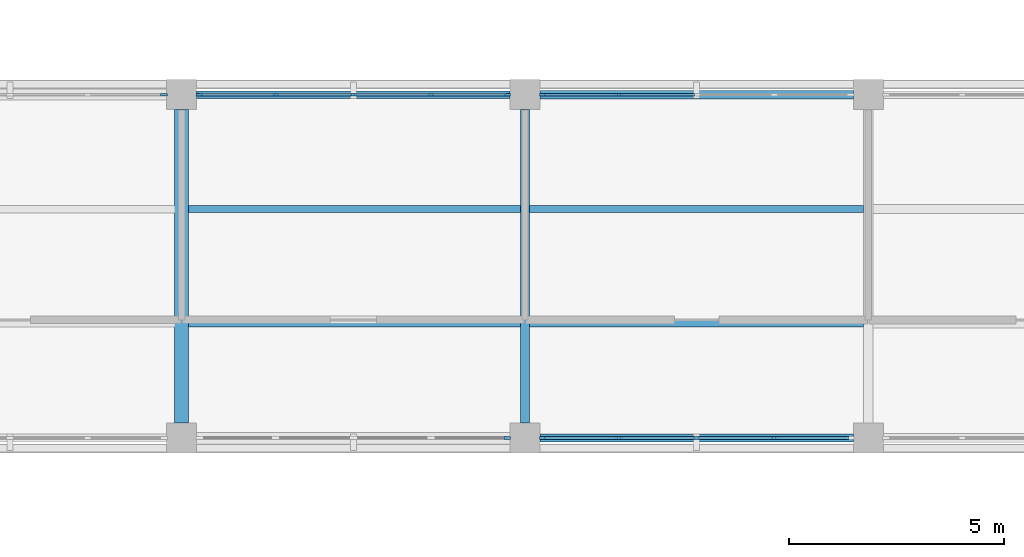
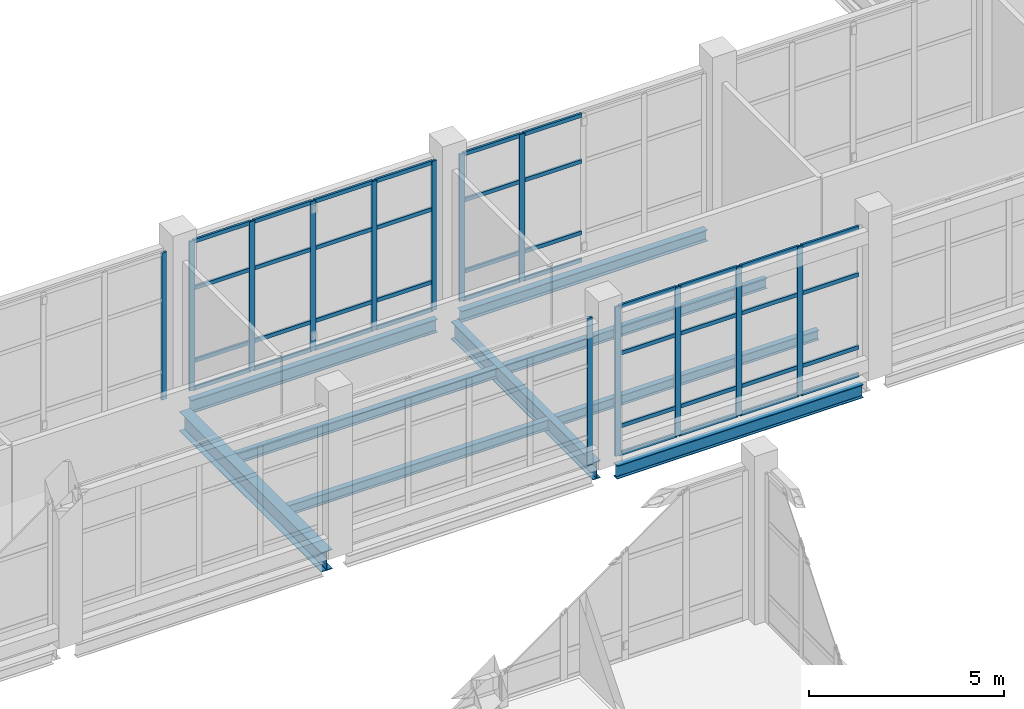
# One storey, part 15 of 105: 53 members, 9 beams, 5 elements without a shape of their own.
"""IFC4 building model written with IfcOpenShell, lengths in metres."""

from ifc_helpers import new_model, si_unit, derived_unit, direction, frame, origin, origin_2d, place, context, subcontext, project, spatial, rectangle, i_section, extrude, material, layer, layer_set, material_profile, profile_set, type_object, element, aggregate, save


model = new_model("IFC4")

# Units and contexts
model_context = context("Model", 3, precision=1e-05, world=origin(), true_north=direction((0.0, 1.0)))
body_context = subcontext(model_context, "Body", "Model", "MODEL_VIEW")
ifc_project = project(units=[si_unit("LENGTHUNIT", "METRE"), si_unit("AREAUNIT", "SQUARE_METRE"), si_unit("VOLUMEUNIT", "CUBIC_METRE"), si_unit("PLANEANGLEUNIT", "RADIAN"), si_unit("MASSUNIT", "GRAM", prefix="KILO"), derived_unit("THERMALTRANSMITTANCEUNIT", [(si_unit("MASSUNIT", "GRAM", prefix="KILO"), 1), (si_unit("TIMEUNIT", "SECOND"), -3), (si_unit("THERMODYNAMICTEMPERATUREUNIT", "KELVIN"), -1)])], contexts=[model_context])

# Site, building, storey
site_placement = place(None, origin())
site = spatial("IfcSite", under=ifc_project, at=site_placement, CompositionType="ELEMENT")
building_placement = place(site_placement, origin())
building = spatial("IfcBuilding", under=site, at=building_placement, Name="Veyamyaing Civic Hall", CompositionType="ELEMENT")
storey_placement = place(building_placement, origin())
storey = spatial("IfcBuildingStorey", under=building, at=storey_placement, Name="L00", CompositionType="ELEMENT", Elevation=0.0)

# Beams
ifc_material_1 = material(Name="Steel ASTM A992", Category="steel")
ifc_material_profile_1 = material_profile(ifc_material_1, i_section(OverallWidth=0.179931640625, OverallDepth=0.4130859375, WebThickness=0.009765625, FlangeThickness=0.01611328125, FilletRadius=0.010009765625, at=origin_2d()), Name="W410X74")
ifc_profile_set_1 = profile_set([ifc_material_profile_1], Name="Steel ASTM A992")
beam_type_1 = type_object("IfcBeamType", Name="B-10", PredefinedType="SPANDREL", material=ifc_profile_set_1)
for number, where, z_axis, x_axis, name in (
    (1, (40.35009765625, 48.0, -0.471435546875), (1.0, 0.0, 0.0), (0.0, 1.0, 0.0), "Girder B-10 L00 Grid G 6-7"),
    (2, (32.35009765625, 56.0, -0.471435546875), (1.0, 0.0, 0.0), (0.0, 1.0, 0.0), "Girder B-10 L00 Grid H 5-6"),
):
    element("IfcBeam", number, at=place(storey_placement, frame(where, z_axis=z_axis, x_axis=x_axis)), inside=storey, type_object=beam_type_1, Name=name, PredefinedType="SPANDREL", context=body_context, shape_type="SweptSolid", body=[
        extrude(i_section(OverallWidth=0.179931640625, OverallDepth=0.4130859375, WebThickness=0.009765625, FlangeThickness=0.01611328125, FilletRadius=0.010009765625, at=origin_2d()), origin(), (0.0, 0.0, 1.0), 7.2998046875),
    ])
ifc_material_profile_2 = material_profile(ifc_material_1, i_section(OverallWidth=0.2041015625, OverallDepth=0.35009765625, WebThickness=0.0078125, FlangeThickness=0.01513671875, FilletRadius=0.010009765625, at=origin_2d()), Name="W360X72")
ifc_profile_set_2 = profile_set([ifc_material_profile_2], Name="Steel ASTM A992")
beam_type_2 = type_object("IfcBeamType", Name="B-11", PredefinedType="SPANDREL", material=ifc_profile_set_2)
beam_1_placement = place(storey_placement, frame((40.35009765625, 56.0, -0.43994140625), z_axis=(1.0, 0.0, 0.0), x_axis=(0.0, 1.0, 0.0)))
element("IfcBeam", 3, at=beam_1_placement, inside=storey, type_object=beam_type_2, Name="Girder B-11 L00 Grid H 6-7", PredefinedType="SPANDREL", context=body_context, shape_type="SweptSolid", body=[
    extrude(i_section(OverallWidth=0.2041015625, OverallDepth=0.35009765625, WebThickness=0.0078125, FlangeThickness=0.01513671875, FilletRadius=0.010009765625, at=origin_2d()), origin(), (0.0, 0.0, 1.0), 7.2998046875),
])
ifc_material_profile_3 = material_profile(ifc_material_1, i_section(OverallWidth=0.324951171875, OverallDepth=0.615966796875, WebThickness=0.013916015625, FlangeThickness=0.021484375, FilletRadius=0.013916015625, at=origin_2d()), Name="W610X174")
ifc_profile_set_3 = profile_set([ifc_material_profile_3], Name="Steel ASTM A992")
beam_type_3 = type_object("IfcBeamType", Name="B-15", PredefinedType="BEAM", material=ifc_profile_set_3)
beam_2_placement = place(storey_placement, frame((32.0, 48.35009765625, -0.572998046875), z_axis=(0.0, 1.0, 0.0), x_axis=(-1.0, 0.0, 0.0)))
element("IfcBeam", 4, at=beam_2_placement, inside=storey, type_object=beam_type_3, Name="Girder B-15 L00 Grid 5 G-H", PredefinedType="BEAM", context=body_context, shape_type="SweptSolid", body=[
    extrude(i_section(OverallWidth=0.324951171875, OverallDepth=0.615966796875, WebThickness=0.013916015625, FlangeThickness=0.021484375, FilletRadius=0.013916015625, at=origin_2d()), origin(), (0.0, 0.0, 1.0), 7.2998046875),
])
ifc_material_profile_4 = material_profile(ifc_material_1, i_section(OverallWidth=0.214111328125, OverallDepth=0.549072265625, WebThickness=0.0146484375, FlangeThickness=0.023681640625, FilletRadius=0.011962890625, at=origin_2d()), Name="W530X138")
ifc_profile_set_4 = profile_set([ifc_material_profile_4], Name="Steel ASTM A992")
beam_type_4 = type_object("IfcBeamType", Name="B-16", PredefinedType="BEAM", material=ifc_profile_set_4)
beam_3_placement = place(storey_placement, frame((40.0, 48.35009765625, -0.53955078125), z_axis=(0.0, 1.0, 0.0), x_axis=(-1.0, 0.0, 0.0)))
element("IfcBeam", 5, at=beam_3_placement, inside=storey, type_object=beam_type_4, Name="Girder B-16 L00 Grid 6 G-H", PredefinedType="BEAM", context=body_context, shape_type="SweptSolid", body=[
    extrude(i_section(OverallWidth=0.214111328125, OverallDepth=0.549072265625, WebThickness=0.0146484375, FlangeThickness=0.023681640625, FilletRadius=0.011962890625, at=origin_2d()), origin(), (0.0, 0.0, 1.0), 7.2998046875),
])

# Curtain wall, member
ifc_material_2 = material(Name="Anodised aluminium 6063-T6", Category="aluminium")
ifc_layer = layer(ifc_material_2, 0.159912109375, Name="Anodised aluminium 6063-T6")
ifc_layer_set = layer_set([ifc_layer], Name="Anodised aluminium 6063-T6")
curtain_wall_type = type_object("IfcCurtainWallType", Name="CW-01", PredefinedType="NOTDEFINED", material=ifc_layer_set)
curtain_wall_1_placement = place(storey_placement, origin())
curtain_wall_1 = element("IfcCurtainWall", 6, at=curtain_wall_1_placement, inside=storey, type_object=curtain_wall_type, Name="Unitized curtain wall CW-01 L00 N 4.7", PredefinedType="NOTDEFINED")
ifc_material_profile_5 = material_profile(ifc_material_2, rectangle(XDim=0.06494140625, YDim=0.159912109375, at=origin_2d()), Name="ALU-MUL-65X160")
ifc_profile_set_5 = profile_set([ifc_material_profile_5], Name="Anodised aluminium 6063-T6")
member_type_1 = type_object("IfcMemberType", Name="CWM-01", PredefinedType="MULLION", material=ifc_profile_set_5)
member_1_placement = place(storey_placement, frame((31.58740234375, 56.0, 0.0), z_axis=(0.0, 0.0, 1.0), x_axis=(0.0, 1.0, 0.0)))
member_1 = element("IfcMember", 7, at=member_1_placement, type_object=member_type_1, Name="CW-01 mullion 5", PredefinedType="MULLION", context=body_context, shape_type="SweptSolid", body=[
    extrude(rectangle(XDim=0.06494140625, YDim=0.159912109375, at=origin_2d()), origin(), (0.0, 0.0, 1.0), 4.614013671875),
])
aggregate(curtain_wall_1, [member_1])

curtain_wall_2_placement = place(storey_placement, origin())
curtain_wall_2 = element("IfcCurtainWall", 8, at=curtain_wall_2_placement, inside=storey, type_object=curtain_wall_type, Name="Unitized curtain wall CW-01 L00 S 5.7", PredefinedType="NOTDEFINED")
member_2_placement = place(storey_placement, frame((39.58740234375, 48.0, 0.0), z_axis=(0.0, 0.0, 1.0), x_axis=(0.0, 1.0, 0.0)))
member_2 = element("IfcMember", 9, at=member_2_placement, type_object=member_type_1, Name="CW-01 mullion 5", PredefinedType="MULLION", context=body_context, shape_type="SweptSolid", body=[
    extrude(rectangle(XDim=0.06494140625, YDim=0.159912109375, at=origin_2d()), origin(), (0.0, 0.0, 1.0), 4.614013671875),
])
aggregate(curtain_wall_2, [member_2])

# Curtain wall, members
curtain_wall_3_placement = place(storey_placement, origin())
curtain_wall_3 = element("IfcCurtainWall", 10, at=curtain_wall_3_placement, inside=storey, type_object=curtain_wall_type, Name="Unitized curtain wall CW-01 L00 N 5.7", PredefinedType="NOTDEFINED")
member_3_placement = place(storey_placement, frame((32.41259765625, 56.0, 0.0), z_axis=(0.0, 0.0, 1.0), x_axis=(0.0, 1.0, 0.0)))
member_3 = element("IfcMember", 11, at=member_3_placement, type_object=member_type_1, Name="CW-01 mullion 1", PredefinedType="MULLION", context=body_context, shape_type="SweptSolid", body=[
    extrude(rectangle(XDim=0.06494140625, YDim=0.159912109375, at=origin_2d()), origin(), (0.0, 0.0, 1.0), 4.677001953125),
])
member_4_placement = place(storey_placement, frame((34.18994140625, 56.0, 0.0), z_axis=(0.0, 0.0, 1.0), x_axis=(0.0, 1.0, 0.0)))
member_4 = element("IfcMember", 12, at=member_4_placement, type_object=member_type_1, Name="CW-01 mullion 2", PredefinedType="MULLION", context=body_context, shape_type="SweptSolid", body=[
    extrude(rectangle(XDim=0.06494140625, YDim=0.159912109375, at=origin_2d()), origin(), (0.0, 0.0, 1.0), 4.677001953125),
])
member_5_placement = place(storey_placement, frame((36.0, 56.0, 0.0), z_axis=(0.0, 0.0, 1.0), x_axis=(0.0, 1.0, 0.0)))
member_5 = element("IfcMember", 13, at=member_5_placement, type_object=member_type_1, Name="CW-01 mullion 3", PredefinedType="MULLION", context=body_context, shape_type="SweptSolid", body=[
    extrude(rectangle(XDim=0.06494140625, YDim=0.159912109375, at=origin_2d()), origin(), (0.0, 0.0, 1.0), 4.677001953125),
])
member_6_placement = place(storey_placement, frame((37.81005859375, 56.0, 0.0), z_axis=(0.0, 0.0, 1.0), x_axis=(0.0, 1.0, 0.0)))
member_6 = element("IfcMember", 14, at=member_6_placement, type_object=member_type_1, Name="CW-01 mullion 4", PredefinedType="MULLION", context=body_context, shape_type="SweptSolid", body=[
    extrude(rectangle(XDim=0.06494140625, YDim=0.159912109375, at=origin_2d()), origin(), (0.0, 0.0, 1.0), 4.677001953125),
])
member_7_placement = place(storey_placement, frame((39.58740234375, 56.0, 0.0), z_axis=(0.0, 0.0, 1.0), x_axis=(0.0, 1.0, 0.0)))
member_7 = element("IfcMember", 15, at=member_7_placement, type_object=member_type_1, Name="CW-01 mullion 5", PredefinedType="MULLION", context=body_context, shape_type="SweptSolid", body=[
    extrude(rectangle(XDim=0.06494140625, YDim=0.159912109375, at=origin_2d()), origin(), (0.0, 0.0, 1.0), 4.677001953125),
])

curtain_wall_4_placement = place(storey_placement, origin())
curtain_wall_4 = element("IfcCurtainWall", 16, at=curtain_wall_4_placement, inside=storey, type_object=curtain_wall_type, Name="Unitized curtain wall CW-01 L00 S 6.7", PredefinedType="NOTDEFINED")
member_8_placement = place(storey_placement, frame((40.41259765625, 48.0, 0.0), z_axis=(0.0, 0.0, 1.0), x_axis=(0.0, 1.0, 0.0)))
member_8 = element("IfcMember", 17, at=member_8_placement, type_object=member_type_1, Name="CW-01 mullion 1", PredefinedType="MULLION", context=body_context, shape_type="SweptSolid", body=[
    extrude(rectangle(XDim=0.06494140625, YDim=0.159912109375, at=origin_2d()), origin(), (0.0, 0.0, 1.0), 4.677001953125),
])
member_9_placement = place(storey_placement, frame((42.18994140625, 48.0, 0.0), z_axis=(0.0, 0.0, 1.0), x_axis=(0.0, 1.0, 0.0)))
member_9 = element("IfcMember", 18, at=member_9_placement, type_object=member_type_1, Name="CW-01 mullion 2", PredefinedType="MULLION", context=body_context, shape_type="SweptSolid", body=[
    extrude(rectangle(XDim=0.06494140625, YDim=0.159912109375, at=origin_2d()), origin(), (0.0, 0.0, 1.0), 4.677001953125),
])
member_10_placement = place(storey_placement, frame((44.0, 48.0, 0.0), z_axis=(0.0, 0.0, 1.0), x_axis=(0.0, 1.0, 0.0)))
member_10 = element("IfcMember", 19, at=member_10_placement, type_object=member_type_1, Name="CW-01 mullion 3", PredefinedType="MULLION", context=body_context, shape_type="SweptSolid", body=[
    extrude(rectangle(XDim=0.06494140625, YDim=0.159912109375, at=origin_2d()), origin(), (0.0, 0.0, 1.0), 4.677001953125),
])
member_11_placement = place(storey_placement, frame((45.81005859375, 48.0, 0.0), z_axis=(0.0, 0.0, 1.0), x_axis=(0.0, 1.0, 0.0)))
member_11 = element("IfcMember", 20, at=member_11_placement, type_object=member_type_1, Name="CW-01 mullion 4", PredefinedType="MULLION", context=body_context, shape_type="SweptSolid", body=[
    extrude(rectangle(XDim=0.06494140625, YDim=0.159912109375, at=origin_2d()), origin(), (0.0, 0.0, 1.0), 4.677001953125),
])

curtain_wall_5_placement = place(storey_placement, origin())
curtain_wall_5 = element("IfcCurtainWall", 21, at=curtain_wall_5_placement, inside=storey, type_object=curtain_wall_type, Name="Unitized curtain wall CW-01 L00 N 6.7", PredefinedType="NOTDEFINED")
member_12_placement = place(storey_placement, frame((40.41259765625, 56.0, 0.0), z_axis=(0.0, 0.0, 1.0), x_axis=(0.0, 1.0, 0.0)))
member_12 = element("IfcMember", 22, at=member_12_placement, type_object=member_type_1, Name="CW-01 mullion 1", PredefinedType="MULLION", context=body_context, shape_type="SweptSolid", body=[
    extrude(rectangle(XDim=0.06494140625, YDim=0.159912109375, at=origin_2d()), origin(), (0.0, 0.0, 1.0), 4.610107421875),
])
member_13_placement = place(storey_placement, frame((42.18994140625, 56.0, 0.0), z_axis=(0.0, 0.0, 1.0), x_axis=(0.0, 1.0, 0.0)))
member_13 = element("IfcMember", 23, at=member_13_placement, type_object=member_type_1, Name="CW-01 mullion 2", PredefinedType="MULLION", context=body_context, shape_type="SweptSolid", body=[
    extrude(rectangle(XDim=0.06494140625, YDim=0.159912109375, at=origin_2d()), origin(), (0.0, 0.0, 1.0), 4.610107421875),
])

# Member
ifc_material_profile_6 = material_profile(ifc_material_2, rectangle(XDim=0.06494140625, YDim=0.1201171875, at=origin_2d()), Name="ALU-TRN-65X120")
ifc_profile_set_6 = profile_set([ifc_material_profile_6], Name="Anodised aluminium 6063-T6")
member_type_2 = type_object("IfcMemberType", Name="CWT-01", PredefinedType="USERDEFINED", material=ifc_profile_set_6)
member_14_placement = place(storey_placement, frame((32.445068359375, 56.0, 0.032470703125), z_axis=(1.0, 0.0, 0.0), x_axis=(0.0, 1.0, 0.0)))
member_14 = element("IfcMember", 24, at=member_14_placement, type_object=member_type_2, Name="CW-01 transom 1.1", ObjectType="TRANSOM", PredefinedType="USERDEFINED", context=body_context, shape_type="SweptSolid", body=[
    extrude(rectangle(XDim=0.06494140625, YDim=0.1201171875, at=origin_2d()), origin(), (0.0, 0.0, 1.0), 1.71240234375),
])

member_15_placement = place(storey_placement, frame((32.445068359375, 56.0, 0.89990234375), z_axis=(1.0, 0.0, 0.0), x_axis=(0.0, 1.0, 0.0)))
member_15 = element("IfcMember", 25, at=member_15_placement, type_object=member_type_2, Name="CW-01 transom 1.2", ObjectType="TRANSOM", PredefinedType="USERDEFINED", context=body_context, shape_type="SweptSolid", body=[
    extrude(rectangle(XDim=0.06494140625, YDim=0.1201171875, at=origin_2d()), origin(), (0.0, 0.0, 1.0), 1.71240234375),
])

member_16_placement = place(storey_placement, frame((32.445068359375, 56.0, 3.180419921875), z_axis=(1.0, 0.0, 0.0), x_axis=(0.0, 1.0, 0.0)))
member_16 = element("IfcMember", 26, at=member_16_placement, type_object=member_type_2, Name="CW-01 transom 1.3", ObjectType="TRANSOM", PredefinedType="USERDEFINED", context=body_context, shape_type="SweptSolid", body=[
    extrude(rectangle(XDim=0.06494140625, YDim=0.1201171875, at=origin_2d()), origin(), (0.0, 0.0, 1.0), 1.71240234375),
])

member_17_placement = place(storey_placement, frame((32.445068359375, 56.0, 4.64453125), z_axis=(1.0, 0.0, 0.0), x_axis=(0.0, 1.0, 0.0)))
member_17 = element("IfcMember", 27, at=member_17_placement, type_object=member_type_2, Name="CW-01 transom 1.4", ObjectType="TRANSOM", PredefinedType="USERDEFINED", context=body_context, shape_type="SweptSolid", body=[
    extrude(rectangle(XDim=0.06494140625, YDim=0.1201171875, at=origin_2d()), origin(), (0.0, 0.0, 1.0), 1.71240234375),
])

member_18_placement = place(storey_placement, frame((34.222412109375, 56.0, 0.032470703125), z_axis=(1.0, 0.0, 0.0), x_axis=(0.0, 1.0, 0.0)))
member_18 = element("IfcMember", 28, at=member_18_placement, type_object=member_type_2, Name="CW-01 transom 2.1", ObjectType="TRANSOM", PredefinedType="USERDEFINED", context=body_context, shape_type="SweptSolid", body=[
    extrude(rectangle(XDim=0.06494140625, YDim=0.1201171875, at=origin_2d()), origin(), (0.0, 0.0, 1.0), 1.7451171875),
])

member_19_placement = place(storey_placement, frame((34.222412109375, 56.0, 0.89990234375), z_axis=(1.0, 0.0, 0.0), x_axis=(0.0, 1.0, 0.0)))
member_19 = element("IfcMember", 29, at=member_19_placement, type_object=member_type_2, Name="CW-01 transom 2.2", ObjectType="TRANSOM", PredefinedType="USERDEFINED", context=body_context, shape_type="SweptSolid", body=[
    extrude(rectangle(XDim=0.06494140625, YDim=0.1201171875, at=origin_2d()), origin(), (0.0, 0.0, 1.0), 1.7451171875),
])

member_20_placement = place(storey_placement, frame((34.222412109375, 56.0, 3.180419921875), z_axis=(1.0, 0.0, 0.0), x_axis=(0.0, 1.0, 0.0)))
member_20 = element("IfcMember", 30, at=member_20_placement, type_object=member_type_2, Name="CW-01 transom 2.3", ObjectType="TRANSOM", PredefinedType="USERDEFINED", context=body_context, shape_type="SweptSolid", body=[
    extrude(rectangle(XDim=0.06494140625, YDim=0.1201171875, at=origin_2d()), origin(), (0.0, 0.0, 1.0), 1.7451171875),
])

member_21_placement = place(storey_placement, frame((34.222412109375, 56.0, 4.64453125), z_axis=(1.0, 0.0, 0.0), x_axis=(0.0, 1.0, 0.0)))
member_21 = element("IfcMember", 31, at=member_21_placement, type_object=member_type_2, Name="CW-01 transom 2.4", ObjectType="TRANSOM", PredefinedType="USERDEFINED", context=body_context, shape_type="SweptSolid", body=[
    extrude(rectangle(XDim=0.06494140625, YDim=0.1201171875, at=origin_2d()), origin(), (0.0, 0.0, 1.0), 1.7451171875),
])

member_22_placement = place(storey_placement, frame((36.032470703125, 56.0, 0.032470703125), z_axis=(1.0, 0.0, 0.0), x_axis=(0.0, 1.0, 0.0)))
member_22 = element("IfcMember", 32, at=member_22_placement, type_object=member_type_2, Name="CW-01 transom 3.1", ObjectType="TRANSOM", PredefinedType="USERDEFINED", context=body_context, shape_type="SweptSolid", body=[
    extrude(rectangle(XDim=0.06494140625, YDim=0.1201171875, at=origin_2d()), origin(), (0.0, 0.0, 1.0), 1.7451171875),
])

member_23_placement = place(storey_placement, frame((36.032470703125, 56.0, 0.89990234375), z_axis=(1.0, 0.0, 0.0), x_axis=(0.0, 1.0, 0.0)))
member_23 = element("IfcMember", 33, at=member_23_placement, type_object=member_type_2, Name="CW-01 transom 3.2", ObjectType="TRANSOM", PredefinedType="USERDEFINED", context=body_context, shape_type="SweptSolid", body=[
    extrude(rectangle(XDim=0.06494140625, YDim=0.1201171875, at=origin_2d()), origin(), (0.0, 0.0, 1.0), 1.7451171875),
])

member_24_placement = place(storey_placement, frame((36.032470703125, 56.0, 3.180419921875), z_axis=(1.0, 0.0, 0.0), x_axis=(0.0, 1.0, 0.0)))
member_24 = element("IfcMember", 34, at=member_24_placement, type_object=member_type_2, Name="CW-01 transom 3.3", ObjectType="TRANSOM", PredefinedType="USERDEFINED", context=body_context, shape_type="SweptSolid", body=[
    extrude(rectangle(XDim=0.06494140625, YDim=0.1201171875, at=origin_2d()), origin(), (0.0, 0.0, 1.0), 1.7451171875),
])

member_25_placement = place(storey_placement, frame((36.032470703125, 56.0, 4.64453125), z_axis=(1.0, 0.0, 0.0), x_axis=(0.0, 1.0, 0.0)))
member_25 = element("IfcMember", 35, at=member_25_placement, type_object=member_type_2, Name="CW-01 transom 3.4", ObjectType="TRANSOM", PredefinedType="USERDEFINED", context=body_context, shape_type="SweptSolid", body=[
    extrude(rectangle(XDim=0.06494140625, YDim=0.1201171875, at=origin_2d()), origin(), (0.0, 0.0, 1.0), 1.7451171875),
])

member_26_placement = place(storey_placement, frame((37.842529296875, 56.0, 0.032470703125), z_axis=(1.0, 0.0, 0.0), x_axis=(0.0, 1.0, 0.0)))
member_26 = element("IfcMember", 36, at=member_26_placement, type_object=member_type_2, Name="CW-01 transom 4.1", ObjectType="TRANSOM", PredefinedType="USERDEFINED", context=body_context, shape_type="SweptSolid", body=[
    extrude(rectangle(XDim=0.06494140625, YDim=0.1201171875, at=origin_2d()), origin(), (0.0, 0.0, 1.0), 1.71240234375),
])

member_27_placement = place(storey_placement, frame((37.842529296875, 56.0, 0.89990234375), z_axis=(1.0, 0.0, 0.0), x_axis=(0.0, 1.0, 0.0)))
member_27 = element("IfcMember", 37, at=member_27_placement, type_object=member_type_2, Name="CW-01 transom 4.2", ObjectType="TRANSOM", PredefinedType="USERDEFINED", context=body_context, shape_type="SweptSolid", body=[
    extrude(rectangle(XDim=0.06494140625, YDim=0.1201171875, at=origin_2d()), origin(), (0.0, 0.0, 1.0), 1.71240234375),
])

member_28_placement = place(storey_placement, frame((37.842529296875, 56.0, 3.180419921875), z_axis=(1.0, 0.0, 0.0), x_axis=(0.0, 1.0, 0.0)))
member_28 = element("IfcMember", 38, at=member_28_placement, type_object=member_type_2, Name="CW-01 transom 4.3", ObjectType="TRANSOM", PredefinedType="USERDEFINED", context=body_context, shape_type="SweptSolid", body=[
    extrude(rectangle(XDim=0.06494140625, YDim=0.1201171875, at=origin_2d()), origin(), (0.0, 0.0, 1.0), 1.71240234375),
])

member_29_placement = place(storey_placement, frame((37.842529296875, 56.0, 4.64453125), z_axis=(1.0, 0.0, 0.0), x_axis=(0.0, 1.0, 0.0)))
member_29 = element("IfcMember", 39, at=member_29_placement, type_object=member_type_2, Name="CW-01 transom 4.4", ObjectType="TRANSOM", PredefinedType="USERDEFINED", context=body_context, shape_type="SweptSolid", body=[
    extrude(rectangle(XDim=0.06494140625, YDim=0.1201171875, at=origin_2d()), origin(), (0.0, 0.0, 1.0), 1.71240234375),
])

aggregate(curtain_wall_3, [member_3, member_4, member_5, member_6, member_7, member_14, member_15, member_16, member_17, member_18, member_19, member_20, member_21, member_22, member_23, member_24, member_25, member_26, member_27, member_28, member_29])

member_30_placement = place(storey_placement, frame((40.445068359375, 48.0, 0.032470703125), z_axis=(1.0, 0.0, 0.0), x_axis=(0.0, 1.0, 0.0)))
member_30 = element("IfcMember", 40, at=member_30_placement, type_object=member_type_2, Name="CW-01 transom 1.1", ObjectType="TRANSOM", PredefinedType="USERDEFINED", context=body_context, shape_type="SweptSolid", body=[
    extrude(rectangle(XDim=0.06494140625, YDim=0.1201171875, at=origin_2d()), origin(), (0.0, 0.0, 1.0), 1.71240234375),
])

member_31_placement = place(storey_placement, frame((40.445068359375, 48.0, 0.89990234375), z_axis=(1.0, 0.0, 0.0), x_axis=(0.0, 1.0, 0.0)))
member_31 = element("IfcMember", 41, at=member_31_placement, type_object=member_type_2, Name="CW-01 transom 1.2", ObjectType="TRANSOM", PredefinedType="USERDEFINED", context=body_context, shape_type="SweptSolid", body=[
    extrude(rectangle(XDim=0.06494140625, YDim=0.1201171875, at=origin_2d()), origin(), (0.0, 0.0, 1.0), 1.71240234375),
])

member_32_placement = place(storey_placement, frame((40.445068359375, 48.0, 3.180419921875), z_axis=(1.0, 0.0, 0.0), x_axis=(0.0, 1.0, 0.0)))
member_32 = element("IfcMember", 42, at=member_32_placement, type_object=member_type_2, Name="CW-01 transom 1.3", ObjectType="TRANSOM", PredefinedType="USERDEFINED", context=body_context, shape_type="SweptSolid", body=[
    extrude(rectangle(XDim=0.06494140625, YDim=0.1201171875, at=origin_2d()), origin(), (0.0, 0.0, 1.0), 1.71240234375),
])

member_33_placement = place(storey_placement, frame((40.445068359375, 48.0, 4.64453125), z_axis=(1.0, 0.0, 0.0), x_axis=(0.0, 1.0, 0.0)))
member_33 = element("IfcMember", 43, at=member_33_placement, type_object=member_type_2, Name="CW-01 transom 1.4", ObjectType="TRANSOM", PredefinedType="USERDEFINED", context=body_context, shape_type="SweptSolid", body=[
    extrude(rectangle(XDim=0.06494140625, YDim=0.1201171875, at=origin_2d()), origin(), (0.0, 0.0, 1.0), 1.71240234375),
])

member_34_placement = place(storey_placement, frame((42.222412109375, 48.0, 0.032470703125), z_axis=(1.0, 0.0, 0.0), x_axis=(0.0, 1.0, 0.0)))
member_34 = element("IfcMember", 44, at=member_34_placement, type_object=member_type_2, Name="CW-01 transom 2.1", ObjectType="TRANSOM", PredefinedType="USERDEFINED", context=body_context, shape_type="SweptSolid", body=[
    extrude(rectangle(XDim=0.06494140625, YDim=0.1201171875, at=origin_2d()), origin(), (0.0, 0.0, 1.0), 1.7451171875),
])

member_35_placement = place(storey_placement, frame((42.222412109375, 48.0, 0.89990234375), z_axis=(1.0, 0.0, 0.0), x_axis=(0.0, 1.0, 0.0)))
member_35 = element("IfcMember", 45, at=member_35_placement, type_object=member_type_2, Name="CW-01 transom 2.2", ObjectType="TRANSOM", PredefinedType="USERDEFINED", context=body_context, shape_type="SweptSolid", body=[
    extrude(rectangle(XDim=0.06494140625, YDim=0.1201171875, at=origin_2d()), origin(), (0.0, 0.0, 1.0), 1.7451171875),
])

member_36_placement = place(storey_placement, frame((42.222412109375, 48.0, 3.180419921875), z_axis=(1.0, 0.0, 0.0), x_axis=(0.0, 1.0, 0.0)))
member_36 = element("IfcMember", 46, at=member_36_placement, type_object=member_type_2, Name="CW-01 transom 2.3", ObjectType="TRANSOM", PredefinedType="USERDEFINED", context=body_context, shape_type="SweptSolid", body=[
    extrude(rectangle(XDim=0.06494140625, YDim=0.1201171875, at=origin_2d()), origin(), (0.0, 0.0, 1.0), 1.7451171875),
])

member_37_placement = place(storey_placement, frame((42.222412109375, 48.0, 4.64453125), z_axis=(1.0, 0.0, 0.0), x_axis=(0.0, 1.0, 0.0)))
member_37 = element("IfcMember", 47, at=member_37_placement, type_object=member_type_2, Name="CW-01 transom 2.4", ObjectType="TRANSOM", PredefinedType="USERDEFINED", context=body_context, shape_type="SweptSolid", body=[
    extrude(rectangle(XDim=0.06494140625, YDim=0.1201171875, at=origin_2d()), origin(), (0.0, 0.0, 1.0), 1.7451171875),
])

member_38_placement = place(storey_placement, frame((44.032470703125, 48.0, 0.032470703125), z_axis=(1.0, 0.0, 0.0), x_axis=(0.0, 1.0, 0.0)))
member_38 = element("IfcMember", 48, at=member_38_placement, type_object=member_type_2, Name="CW-01 transom 3.1", ObjectType="TRANSOM", PredefinedType="USERDEFINED", context=body_context, shape_type="SweptSolid", body=[
    extrude(rectangle(XDim=0.06494140625, YDim=0.1201171875, at=origin_2d()), origin(), (0.0, 0.0, 1.0), 1.7451171875),
])

member_39_placement = place(storey_placement, frame((44.032470703125, 48.0, 0.89990234375), z_axis=(1.0, 0.0, 0.0), x_axis=(0.0, 1.0, 0.0)))
member_39 = element("IfcMember", 49, at=member_39_placement, type_object=member_type_2, Name="CW-01 transom 3.2", ObjectType="TRANSOM", PredefinedType="USERDEFINED", context=body_context, shape_type="SweptSolid", body=[
    extrude(rectangle(XDim=0.06494140625, YDim=0.1201171875, at=origin_2d()), origin(), (0.0, 0.0, 1.0), 1.7451171875),
])

member_40_placement = place(storey_placement, frame((44.032470703125, 48.0, 3.180419921875), z_axis=(1.0, 0.0, 0.0), x_axis=(0.0, 1.0, 0.0)))
member_40 = element("IfcMember", 50, at=member_40_placement, type_object=member_type_2, Name="CW-01 transom 3.3", ObjectType="TRANSOM", PredefinedType="USERDEFINED", context=body_context, shape_type="SweptSolid", body=[
    extrude(rectangle(XDim=0.06494140625, YDim=0.1201171875, at=origin_2d()), origin(), (0.0, 0.0, 1.0), 1.7451171875),
])

member_41_placement = place(storey_placement, frame((44.032470703125, 48.0, 4.64453125), z_axis=(1.0, 0.0, 0.0), x_axis=(0.0, 1.0, 0.0)))
member_41 = element("IfcMember", 51, at=member_41_placement, type_object=member_type_2, Name="CW-01 transom 3.4", ObjectType="TRANSOM", PredefinedType="USERDEFINED", context=body_context, shape_type="SweptSolid", body=[
    extrude(rectangle(XDim=0.06494140625, YDim=0.1201171875, at=origin_2d()), origin(), (0.0, 0.0, 1.0), 1.7451171875),
])

member_42_placement = place(storey_placement, frame((45.842529296875, 48.0, 0.032470703125), z_axis=(1.0, 0.0, 0.0), x_axis=(0.0, 1.0, 0.0)))
member_42 = element("IfcMember", 52, at=member_42_placement, type_object=member_type_2, Name="CW-01 transom 4.1", ObjectType="TRANSOM", PredefinedType="USERDEFINED", context=body_context, shape_type="SweptSolid", body=[
    extrude(rectangle(XDim=0.06494140625, YDim=0.1201171875, at=origin_2d()), origin(), (0.0, 0.0, 1.0), 1.71240234375),
])

member_43_placement = place(storey_placement, frame((45.842529296875, 48.0, 0.89990234375), z_axis=(1.0, 0.0, 0.0), x_axis=(0.0, 1.0, 0.0)))
member_43 = element("IfcMember", 53, at=member_43_placement, type_object=member_type_2, Name="CW-01 transom 4.2", ObjectType="TRANSOM", PredefinedType="USERDEFINED", context=body_context, shape_type="SweptSolid", body=[
    extrude(rectangle(XDim=0.06494140625, YDim=0.1201171875, at=origin_2d()), origin(), (0.0, 0.0, 1.0), 1.71240234375),
])

member_44_placement = place(storey_placement, frame((45.842529296875, 48.0, 3.180419921875), z_axis=(1.0, 0.0, 0.0), x_axis=(0.0, 1.0, 0.0)))
member_44 = element("IfcMember", 54, at=member_44_placement, type_object=member_type_2, Name="CW-01 transom 4.3", ObjectType="TRANSOM", PredefinedType="USERDEFINED", context=body_context, shape_type="SweptSolid", body=[
    extrude(rectangle(XDim=0.06494140625, YDim=0.1201171875, at=origin_2d()), origin(), (0.0, 0.0, 1.0), 1.71240234375),
])

member_45_placement = place(storey_placement, frame((45.842529296875, 48.0, 4.64453125), z_axis=(1.0, 0.0, 0.0), x_axis=(0.0, 1.0, 0.0)))
member_45 = element("IfcMember", 55, at=member_45_placement, type_object=member_type_2, Name="CW-01 transom 4.4", ObjectType="TRANSOM", PredefinedType="USERDEFINED", context=body_context, shape_type="SweptSolid", body=[
    extrude(rectangle(XDim=0.06494140625, YDim=0.1201171875, at=origin_2d()), origin(), (0.0, 0.0, 1.0), 1.71240234375),
])

aggregate(curtain_wall_4, [member_8, member_9, member_10, member_11, member_30, member_31, member_32, member_33, member_34, member_35, member_36, member_37, member_38, member_39, member_40, member_41, member_42, member_43, member_44, member_45])

member_46_placement = place(storey_placement, frame((40.445068359375, 56.0, 0.032470703125), z_axis=(1.0, 0.0, 0.0), x_axis=(0.0, 1.0, 0.0)))
member_46 = element("IfcMember", 56, at=member_46_placement, type_object=member_type_2, Name="CW-01 transom 1.1", ObjectType="TRANSOM", PredefinedType="USERDEFINED", context=body_context, shape_type="SweptSolid", body=[
    extrude(rectangle(XDim=0.06494140625, YDim=0.1201171875, at=origin_2d()), origin(), (0.0, 0.0, 1.0), 1.71240234375),
])

member_47_placement = place(storey_placement, frame((40.445068359375, 56.0, 0.89990234375), z_axis=(1.0, 0.0, 0.0), x_axis=(0.0, 1.0, 0.0)))
member_47 = element("IfcMember", 57, at=member_47_placement, type_object=member_type_2, Name="CW-01 transom 1.2", ObjectType="TRANSOM", PredefinedType="USERDEFINED", context=body_context, shape_type="SweptSolid", body=[
    extrude(rectangle(XDim=0.06494140625, YDim=0.1201171875, at=origin_2d()), origin(), (0.0, 0.0, 1.0), 1.71240234375),
])

member_48_placement = place(storey_placement, frame((40.445068359375, 56.0, 3.134765625), z_axis=(1.0, 0.0, 0.0), x_axis=(0.0, 1.0, 0.0)))
member_48 = element("IfcMember", 58, at=member_48_placement, type_object=member_type_2, Name="CW-01 transom 1.3", ObjectType="TRANSOM", PredefinedType="USERDEFINED", context=body_context, shape_type="SweptSolid", body=[
    extrude(rectangle(XDim=0.06494140625, YDim=0.1201171875, at=origin_2d()), origin(), (0.0, 0.0, 1.0), 1.71240234375),
])

member_49_placement = place(storey_placement, frame((40.445068359375, 56.0, 4.577392578125), z_axis=(1.0, 0.0, 0.0), x_axis=(0.0, 1.0, 0.0)))
member_49 = element("IfcMember", 59, at=member_49_placement, type_object=member_type_2, Name="CW-01 transom 1.4", ObjectType="TRANSOM", PredefinedType="USERDEFINED", context=body_context, shape_type="SweptSolid", body=[
    extrude(rectangle(XDim=0.06494140625, YDim=0.1201171875, at=origin_2d()), origin(), (0.0, 0.0, 1.0), 1.71240234375),
])

member_50_placement = place(storey_placement, frame((42.222412109375, 56.0, 0.032470703125), z_axis=(1.0, 0.0, 0.0), x_axis=(0.0, 1.0, 0.0)))
member_50 = element("IfcMember", 60, at=member_50_placement, type_object=member_type_2, Name="CW-01 transom 2.1", ObjectType="TRANSOM", PredefinedType="USERDEFINED", context=body_context, shape_type="SweptSolid", body=[
    extrude(rectangle(XDim=0.06494140625, YDim=0.1201171875, at=origin_2d()), origin(), (0.0, 0.0, 1.0), 1.7451171875),
])

member_51_placement = place(storey_placement, frame((42.222412109375, 56.0, 0.89990234375), z_axis=(1.0, 0.0, 0.0), x_axis=(0.0, 1.0, 0.0)))
member_51 = element("IfcMember", 61, at=member_51_placement, type_object=member_type_2, Name="CW-01 transom 2.2", ObjectType="TRANSOM", PredefinedType="USERDEFINED", context=body_context, shape_type="SweptSolid", body=[
    extrude(rectangle(XDim=0.06494140625, YDim=0.1201171875, at=origin_2d()), origin(), (0.0, 0.0, 1.0), 1.7451171875),
])

member_52_placement = place(storey_placement, frame((42.222412109375, 56.0, 3.134765625), z_axis=(1.0, 0.0, 0.0), x_axis=(0.0, 1.0, 0.0)))
member_52 = element("IfcMember", 62, at=member_52_placement, type_object=member_type_2, Name="CW-01 transom 2.3", ObjectType="TRANSOM", PredefinedType="USERDEFINED", context=body_context, shape_type="SweptSolid", body=[
    extrude(rectangle(XDim=0.06494140625, YDim=0.1201171875, at=origin_2d()), origin(), (0.0, 0.0, 1.0), 1.7451171875),
])

member_53_placement = place(storey_placement, frame((42.222412109375, 56.0, 4.577392578125), z_axis=(1.0, 0.0, 0.0), x_axis=(0.0, 1.0, 0.0)))
member_53 = element("IfcMember", 63, at=member_53_placement, type_object=member_type_2, Name="CW-01 transom 2.4", ObjectType="TRANSOM", PredefinedType="USERDEFINED", context=body_context, shape_type="SweptSolid", body=[
    extrude(rectangle(XDim=0.06494140625, YDim=0.1201171875, at=origin_2d()), origin(), (0.0, 0.0, 1.0), 1.7451171875),
])

aggregate(curtain_wall_5, [member_12, member_13, member_46, member_47, member_48, member_49, member_50, member_51, member_52, member_53])

# Beams
ifc_material_profile_7 = material_profile(ifc_material_1, i_section(OverallWidth=0.1669921875, OverallDepth=0.318115234375, WebThickness=0.007568359375, FlangeThickness=0.01318359375, FilletRadius=0.010009765625, at=origin_2d()), Name="W310X52")
ifc_profile_set_7 = profile_set([ifc_material_profile_7], Name="Steel ASTM A992")
beam_type_5 = type_object("IfcBeamType", Name="J-04", PredefinedType="JOIST", material=ifc_profile_set_7)
for number, where, z_axis, x_axis, name in (
    (64, (32.160400390625, 50.666748046875, -0.424072265625), (1.0, 0.0, 0.0), (0.0, 1.0, 0.0), "Composite floor joist J-04 L00 5.7.1"),
    (65, (32.160400390625, 53.333251953125, -0.424072265625), (1.0, 0.0, 0.0), (0.0, 1.0, 0.0), "Composite floor joist J-04 L00 5.7.2"),
):
    element("IfcBeam", number, at=place(storey_placement, frame(where, z_axis=z_axis, x_axis=x_axis)), inside=storey, type_object=beam_type_5, Name=name, PredefinedType="JOIST", context=body_context, shape_type="SweptSolid", body=[
        extrude(i_section(OverallWidth=0.1669921875, OverallDepth=0.318115234375, WebThickness=0.007568359375, FlangeThickness=0.01318359375, FilletRadius=0.010009765625, at=origin_2d()), origin(), (0.0, 0.0, 1.0), 7.734619140625),
    ])
ifc_material_profile_8 = material_profile(ifc_material_1, i_section(OverallWidth=0.1650390625, OverallDepth=0.31005859375, WebThickness=0.005859375, FlangeThickness=0.009765625, FilletRadius=0.010009765625, at=origin_2d()), Name="W310X39")
ifc_profile_set_8 = profile_set([ifc_material_profile_8], Name="Steel ASTM A992")
beam_type_6 = type_object("IfcBeamType", Name="J-05", PredefinedType="JOIST", material=ifc_profile_set_8)
for number, where, z_axis, x_axis, name in (
    (66, (40.10498046875, 50.666748046875, -0.419921875), (1.0, 0.0, 0.0), (0.0, 1.0, 0.0), "Composite floor joist J-05 L00 6.7.1"),
    (67, (40.10498046875, 53.333251953125, -0.419921875), (1.0, 0.0, 0.0), (0.0, 1.0, 0.0), "Composite floor joist J-05 L00 6.7.2"),
):
    element("IfcBeam", number, at=place(storey_placement, frame(where, z_axis=z_axis, x_axis=x_axis)), inside=storey, type_object=beam_type_6, Name=name, PredefinedType="JOIST", context=body_context, shape_type="SweptSolid", body=[
        extrude(i_section(OverallWidth=0.1650390625, OverallDepth=0.31005859375, WebThickness=0.005859375, FlangeThickness=0.009765625, FilletRadius=0.010009765625, at=origin_2d()), origin(), (0.0, 0.0, 1.0), 7.781982421875),
    ])

save(model, "model.ifc")
